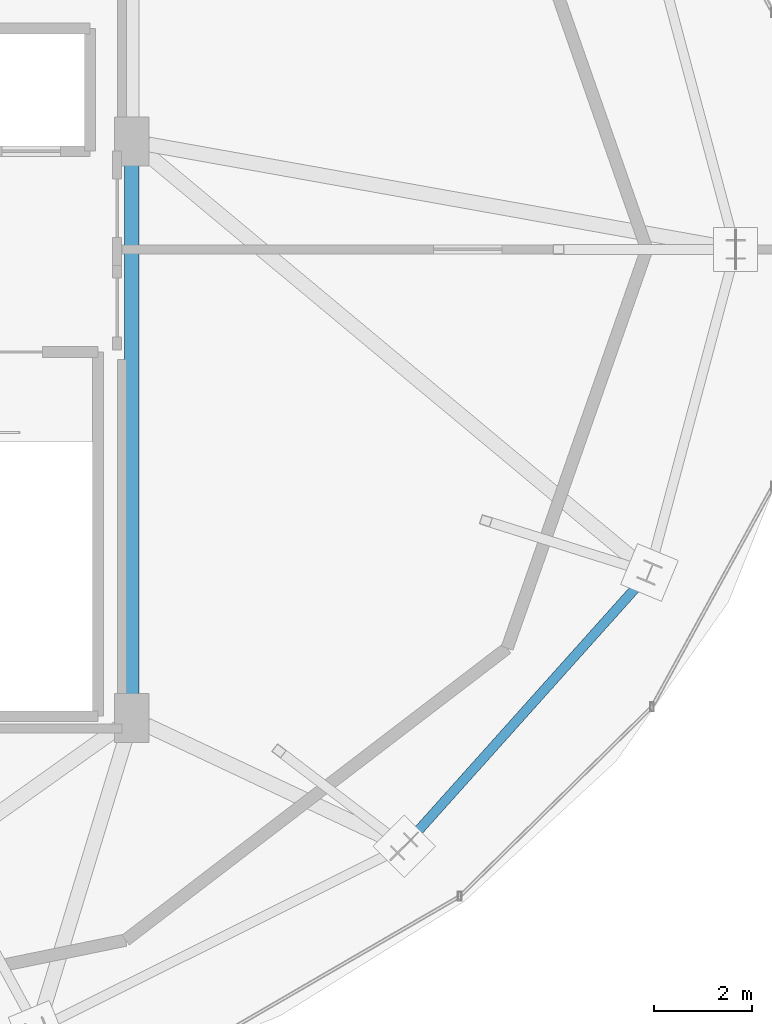
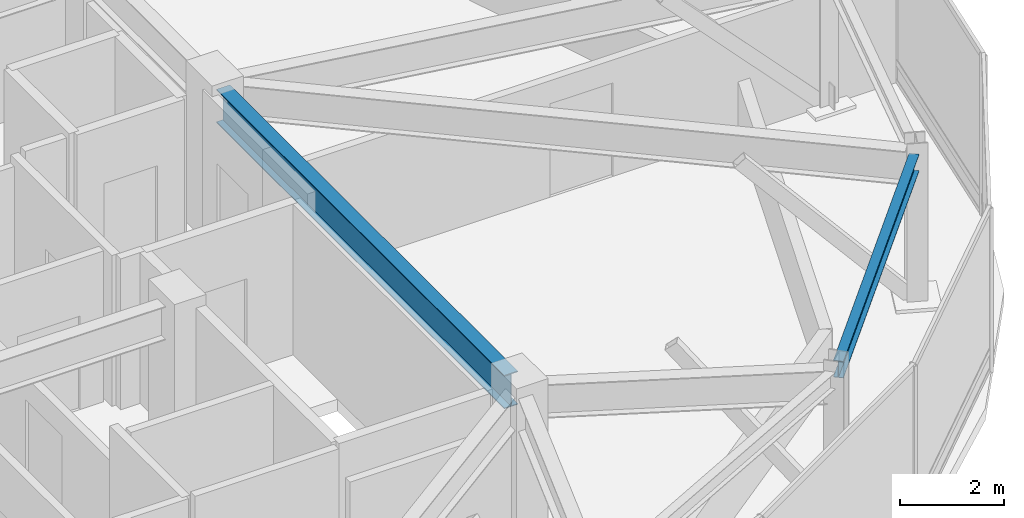
# One storey, part 13 of 28: 2 beams.
"""IFC4 building model written with IfcOpenShell, lengths in metres."""

from ifc_helpers import new_model, si_unit, direction, frame, origin, origin_2d, place, context, subcontext, project, spatial, i_section, extrude, material, material_profile, profile_set, type_object, element, save


model = new_model("IFC4")

# Units and contexts
model_context = context("Model", 3, precision=1e-05, world=origin(), true_north=direction((0.0, 1.0)))
body_context = subcontext(model_context, "Body", "Model", "MODEL_VIEW")
ifc_project = project(units=[si_unit("LENGTHUNIT", "METRE"), si_unit("AREAUNIT", "SQUARE_METRE"), si_unit("VOLUMEUNIT", "CUBIC_METRE"), si_unit("PLANEANGLEUNIT", "RADIAN"), si_unit("MASSUNIT", "GRAM", prefix="KILO")], contexts=[model_context])

# Site, building, storey
site_placement = place(None, origin())
site = spatial("IfcSite", under=ifc_project, at=site_placement, CompositionType="ELEMENT")
building_placement = place(site_placement, origin())
building = spatial("IfcBuilding", under=site, at=building_placement, Name="Vorneva Point Tower", CompositionType="ELEMENT")
storey_placement = place(building_placement, frame((0.0, 0.0, 295.39990234375)))
storey = spatial("IfcBuildingStorey", under=building, at=storey_placement, Name="C01", CompositionType="ELEMENT", Elevation=295.39990234375)

# Beams
ifc_material = material(Name="Steel S355", Category="steel")
ifc_material_profile_1 = material_profile(ifc_material, i_section(OverallWidth=0.300048828125, OverallDepth=0.7880859375, WebThickness=0.014404296875, FlangeThickness=0.02197265625, at=origin_2d()), Name="80Sh1")
ifc_profile_set_1 = profile_set([ifc_material_profile_1], Name="Steel S355")
beam_type_1 = type_object("IfcBeamType", Name="BM-GRD-80Sh1", PredefinedType="USERDEFINED", material=ifc_profile_set_1)
beam_1_placement = place(storey_placement, frame((48.75, 16.77001953125, 3.156005859375), z_axis=(0.0, 1.0, 0.0), x_axis=(-1.0, 0.0, 0.0)))
element("IfcBeam", 1, at=beam_1_placement, inside=storey, type_object=beam_type_1, Name="C01 Core Tie Girder CT3", ObjectType="GIRDER", PredefinedType="USERDEFINED", context=body_context, shape_type="SweptSolid", body=[
    extrude(i_section(OverallWidth=0.300048828125, OverallDepth=0.7880859375, WebThickness=0.014404296875, FlangeThickness=0.02197265625, at=origin_2d()), origin(), (0.0, 0.0, 1.0), 11.10986328125),
])
ifc_material_profile_2 = material_profile(ifc_material, i_section(OverallWidth=0.198974609375, OverallDepth=0.39599609375, WebThickness=0.007080078125, FlangeThickness=0.010986328125, at=origin_2d()), Name="40B1")
ifc_profile_set_2 = profile_set([ifc_material_profile_2], Name="Steel S355")
beam_type_2 = type_object("IfcBeamType", Name="BM-SPN-40B1", PredefinedType="SPANDREL", material=ifc_profile_set_2)
beam_2_placement = place(storey_placement, frame((54.422119140625, 13.9755859375, 3.35205078125), z_axis=(0.66710049095, 0.744967740895, 0.0), x_axis=(-0.744967740895, 0.66710049095, 0.0)))
element("IfcBeam", 2, at=beam_2_placement, inside=storey, type_object=beam_type_2, Name="C01 Perimeter Spandrel Ring Beam 15", PredefinedType="SPANDREL", context=body_context, shape_type="SweptSolid", body=[
    extrude(i_section(OverallWidth=0.198974609375, OverallDepth=0.39599609375, WebThickness=0.007080078125, FlangeThickness=0.010986328125, at=origin_2d()), origin(), (0.0, 0.0, 1.0), 7.120361328125),
])

save(model, "model.ifc")
